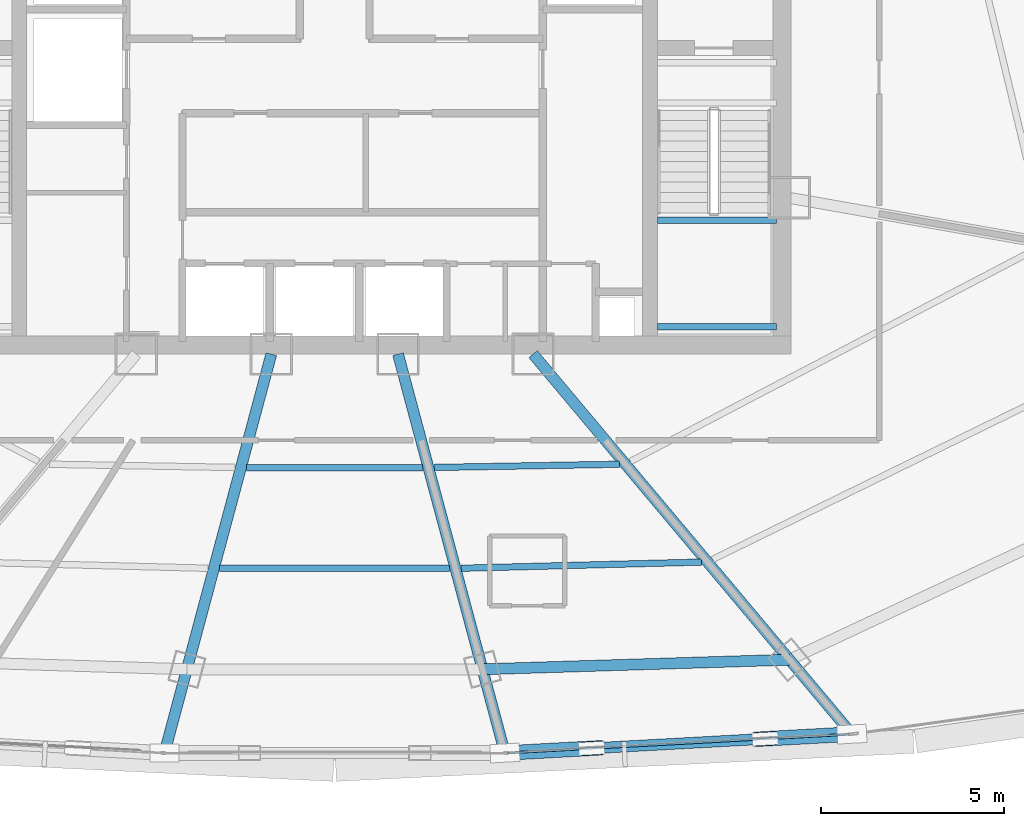
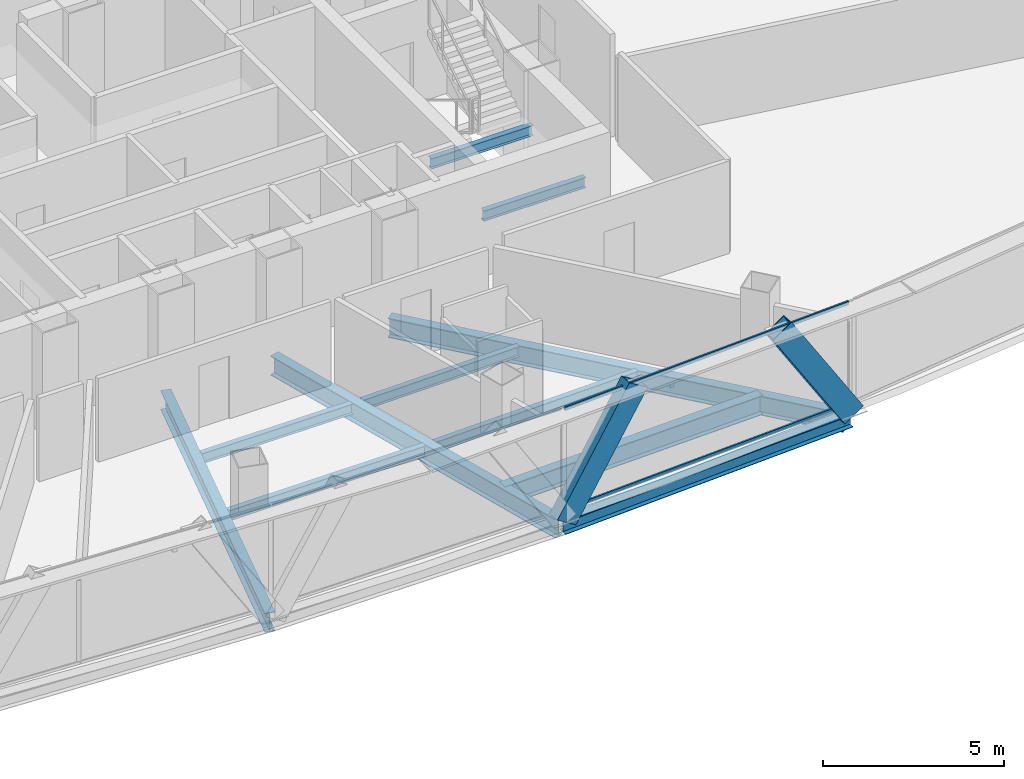
# One storey, part 11 of 37: 11 beams, 4 members, 1 element without a shape of its own.
"""IFC4 building model written with IfcOpenShell, lengths in metres."""

from ifc_helpers import new_model, si_unit, direction, frame, origin, origin_2d, place, context, subcontext, project, spatial, hollow_rectangle, i_section, extrude, source, transform, mapped, material, layer, layer_set, material_profile, profile_set, type_object, element, aggregate, save


model = new_model("IFC4")

# Units and contexts
model_context = context("Model", 3, precision=1e-05, world=origin(), true_north=direction((0.0, 1.0)))
body_context = subcontext(model_context, "Body", "Model", "MODEL_VIEW")
ifc_project = project(units=[si_unit("LENGTHUNIT", "METRE"), si_unit("AREAUNIT", "SQUARE_METRE"), si_unit("VOLUMEUNIT", "CUBIC_METRE"), si_unit("PLANEANGLEUNIT", "RADIAN"), si_unit("MASSUNIT", "GRAM", prefix="KILO"), si_unit("THERMODYNAMICTEMPERATUREUNIT", "KELVIN"), si_unit("POWERUNIT", "WATT")], contexts=[model_context])

# Site, building, storey
site_placement = place(None, origin())
site = spatial("IfcSite", under=ifc_project, at=site_placement, CompositionType="ELEMENT")
building_placement = place(site_placement, origin())
building = spatial("IfcBuilding", under=site, at=building_placement, Name="Yunzhuo Pagoda Commons", CompositionType="ELEMENT")
storey_placement = place(building_placement, frame((0.0, 0.0, 240.800048828125)))
storey = spatial("IfcBuildingStorey", under=building, at=storey_placement, Name="L60", CompositionType="ELEMENT", Elevation=240.800048828125)

# Beams
ifc_material_1 = material(Name="Structural steel Q355B", Category="steel")
ifc_material_profile_1 = material_profile(ifc_material_1, i_section(OverallWidth=0.175048828125, OverallDepth=0.35009765625, WebThickness=0.007080078125, FlangeThickness=0.010986328125, at=origin_2d()), Name="Structural steel Q355B")
ifc_profile_set_1 = profile_set([ifc_material_profile_1], Name="Structural steel Q355B")
beam_type_1 = type_object("IfcBeamType", Name="B-JS2 Joist HN 350x175x7x11", PredefinedType="JOIST", material=ifc_profile_set_1)
shared_shape_1 = source(origin(), body_context, "Body", "SweptSolid", [
    extrude(i_section(OverallWidth=0.175048828125, OverallDepth=0.35009765625, WebThickness=0.007080078125, FlangeThickness=0.010986328125, at=origin_2d()), origin(), (0.0, 0.0, 1.0), 3.25),
])
for number, where, z_axis, x_axis, name in (
    (1, (56.800048828125, 28.0, 1.489990234375), (1.0, 0.0, 0.0), (0.0, 1.0, 0.0), "L60 ST2 landing support beam 66A"),
    (2, (56.800048828125, 30.89990234375, 1.489990234375), (1.0, 0.0, 0.0), (0.0, 1.0, 0.0), "L60 ST2 landing support beam 66B"),
):
    element("IfcBeam", number, at=place(storey_placement, frame(where, z_axis=z_axis, x_axis=x_axis)), inside=storey, type_object=beam_type_1, Name=name, PredefinedType="JOIST", context=body_context, shape_type="MappedRepresentation", body=[
        mapped(shared_shape_1, transform((0.0, 0.0, 0.0), scale=1.0)),
    ])
ifc_material_profile_2 = material_profile(ifc_material_1, i_section(OverallWidth=0.300048828125, OverallDepth=0.64990234375, WebThickness=0.012939453125, FlangeThickness=0.02197265625, at=origin_2d()), Name="Structural steel Q355B")
ifc_profile_set_2 = profile_set([ifc_material_profile_2], Name="Structural steel Q355B")
beam_type_2 = type_object("IfcBeamType", Name="B-RG2 Beam HN 650x300x13x22", PredefinedType="BEAM", material=ifc_profile_set_2)
shared_shape_2 = source(origin(), body_context, "Body", "SweptSolid", [
    extrude(i_section(OverallWidth=0.300048828125, OverallDepth=0.64990234375, WebThickness=0.012939453125, FlangeThickness=0.02197265625, at=origin_2d()), origin(), (0.0, 0.0, 1.0), 8.37939453125),
])
beam_1_placement = place(storey_placement, frame((52.031494140625, 18.654052734375, -0.5849609375), z_axis=(0.999519382133, 0.031000076447, 0.0), x_axis=(-0.031000076447, 0.999519382133, 0.0)))
element("IfcBeam", 3, at=beam_1_placement, inside=storey, type_object=beam_type_2, Name="L60 column-ring beam 3", PredefinedType="BEAM", context=body_context, shape_type="MappedRepresentation", body=[
    mapped(shared_shape_2, transform((0.0, 0.0, 0.0), scale=1.0)),
])
shared_shape_3 = source(origin(), body_context, "Body", "SweptSolid", [
    extrude(i_section(OverallWidth=0.175048828125, OverallDepth=0.35009765625, WebThickness=0.007080078125, FlangeThickness=0.010986328125, at=origin_2d()), origin(), (0.0, 0.0, 1.0), 5.0556640625),
])
beam_2_placement = place(storey_placement, frame((50.716552734375, 24.158203125, -0.43505859375), z_axis=(0.999848878561, 0.017384477, 0.0), x_axis=(-0.017384477, 0.999848878561, 0.0)))
element("IfcBeam", 4, at=beam_2_placement, inside=storey, type_object=beam_type_1, Name="L60 composite ring joist 1.3", PredefinedType="JOIST", context=body_context, shape_type="MappedRepresentation", body=[
    mapped(shared_shape_3, transform((0.0, 0.0, 0.0), scale=1.0)),
])
shared_shape_4 = source(origin(), body_context, "Body", "SweptSolid", [
    extrude(i_section(OverallWidth=0.175048828125, OverallDepth=0.35009765625, WebThickness=0.007080078125, FlangeThickness=0.010986328125, at=origin_2d()), origin(), (0.0, 0.0, 1.0), 6.558349609375),
])
beam_3_placement = place(storey_placement, frame((51.45361328125, 21.40869140625, -0.43505859375), z_axis=(0.99966910323, 0.025723220017, 0.0), x_axis=(-0.025723220017, 0.99966910323, 0.0)))
element("IfcBeam", 5, at=beam_3_placement, inside=storey, type_object=beam_type_1, Name="L60 composite ring joist 2.3", PredefinedType="JOIST", context=body_context, shape_type="MappedRepresentation", body=[
    mapped(shared_shape_4, transform((0.0, 0.0, 0.0), scale=1.0)),
])
shared_shape_5 = source(origin(), body_context, "Body", "SweptSolid", [
    extrude(i_section(OverallWidth=0.175048828125, OverallDepth=0.35009765625, WebThickness=0.007080078125, FlangeThickness=0.010986328125, at=origin_2d()), origin(), (0.0, 0.0, 1.0), 4.796875),
])
beam_4_placement = place(storey_placement, frame((45.601806640625, 24.155517578125, -0.43505859375), z_axis=(1.0, 0.0, 0.0), x_axis=(0.0, 1.0, 0.0)))
element("IfcBeam", 6, at=beam_4_placement, inside=storey, type_object=beam_type_1, Name="L60 composite ring joist 1.2", PredefinedType="JOIST", context=body_context, shape_type="MappedRepresentation", body=[
    mapped(shared_shape_5, transform((0.0, 0.0, 0.0), scale=1.0)),
])
shared_shape_6 = source(origin(), body_context, "Body", "SweptSolid", [
    extrude(i_section(OverallWidth=0.175048828125, OverallDepth=0.35009765625, WebThickness=0.007080078125, FlangeThickness=0.010986328125, at=origin_2d()), origin(), (0.0, 0.0, 1.0), 6.27099609375),
])
beam_5_placement = place(storey_placement, frame((44.864501953125, 21.40478515625, -0.43505859375), z_axis=(1.0, 0.0, 0.0), x_axis=(0.0, 1.0, 0.0)))
element("IfcBeam", 7, at=beam_5_placement, inside=storey, type_object=beam_type_1, Name="L60 composite ring joist 2.2", PredefinedType="JOIST", context=body_context, shape_type="MappedRepresentation", body=[
    mapped(shared_shape_6, transform((0.0, 0.0, 0.0), scale=1.0)),
])
shared_shape_7 = source(origin(), body_context, "Body", "SweptSolid", [
    extrude(i_section(OverallWidth=0.300048828125, OverallDepth=0.64990234375, WebThickness=0.012939453125, FlangeThickness=0.02197265625, at=origin_2d()), origin(), (0.0, 0.0, 1.0), 11.110107421875),
])
beam_6_placement = place(storey_placement, frame((43.396240234375, 16.5185546875, -0.5849609375), z_axis=(0.258840066388, 0.965920193407, 0.0), x_axis=(-0.965920193407, 0.258840066388, 0.0)))
element("IfcBeam", 8, at=beam_6_placement, inside=storey, type_object=beam_type_2, Name="L60 radial floor girder F1C2", PredefinedType="BEAM", context=body_context, shape_type="MappedRepresentation", body=[
    mapped(shared_shape_7, transform((0.0, 0.0, 0.0), scale=1.0)),
])
shared_shape_8 = source(origin(), body_context, "Body", "SweptSolid", [
    extrude(i_section(OverallWidth=0.300048828125, OverallDepth=0.64990234375, WebThickness=0.012939453125, FlangeThickness=0.02197265625, at=origin_2d()), origin(), (0.0, 0.0, 1.0), 11.10986328125),
])
beam_7_placement = place(storey_placement, frame((52.603759765625, 16.5185546875, -0.5849609375), z_axis=(-0.258799060806, 0.965931180844, 0.0), x_axis=(-0.965931180844, -0.258799060806, 0.0)))
element("IfcBeam", 9, at=beam_7_placement, inside=storey, type_object=beam_type_2, Name="L60 radial floor girder F1C3", PredefinedType="BEAM", context=body_context, shape_type="MappedRepresentation", body=[
    mapped(shared_shape_8, transform((0.0, 0.0, 0.0), scale=1.0)),
])
shared_shape_9 = source(origin(), body_context, "Body", "SweptSolid", [
    extrude(i_section(OverallWidth=0.300048828125, OverallDepth=0.64990234375, WebThickness=0.012939453125, FlangeThickness=0.02197265625, at=origin_2d()), origin(), (0.0, 0.0, 1.0), 13.37548828125),
])
beam_8_placement = place(storey_placement, frame((62.009765625, 17.00390625, -0.5849609375), z_axis=(-0.642794750623, 0.766038451105, 0.0), x_axis=(-0.766038451105, -0.642794750623, 0.0)))
element("IfcBeam", 10, at=beam_8_placement, inside=storey, type_object=beam_type_2, Name="L60 radial floor girder F1C4", PredefinedType="BEAM", context=body_context, shape_type="MappedRepresentation", body=[
    mapped(shared_shape_9, transform((0.0, 0.0, 0.0), scale=1.0)),
])
ifc_material_profile_3 = material_profile(ifc_material_1, i_section(OverallWidth=0.300048828125, OverallDepth=0.43994140625, WebThickness=0.010986328125, FlangeThickness=0.01806640625, at=origin_2d()), Name="Structural steel Q355B")
ifc_profile_set_3 = profile_set([ifc_material_profile_3], Name="Structural steel Q355B")
beam_type_3 = type_object("IfcBeamType", Name="B-SP2 Beam HM 440x300x11x18", PredefinedType="BEAM", material=ifc_profile_set_3)
shared_shape_10 = source(origin(), body_context, "Body", "SweptSolid", [
    extrude(i_section(OverallWidth=0.300048828125, OverallDepth=0.43994140625, WebThickness=0.010986328125, FlangeThickness=0.01806640625, at=origin_2d()), origin(), (0.0, 0.0, 1.0), 9.4794921875),
])
beam_9_placement = place(storey_placement, frame((52.643798828125, 16.36865234375, -0.47998046875), z_axis=(0.998513924763, 0.054497174743, 0.0), x_axis=(-0.054497174743, 0.998513924763, 0.0)))
element("IfcBeam", 11, at=beam_9_placement, inside=storey, type_object=beam_type_3, Name="L60 facade edge spandrel beam F1.3", PredefinedType="BEAM", context=body_context, shape_type="MappedRepresentation", body=[
    mapped(shared_shape_10, transform((0.0, 0.0, 0.0), scale=1.0)),
])

# Members
ifc_material_profile_4 = material_profile(ifc_material_1, hollow_rectangle(XDim=0.39990234375, YDim=0.719970703125, WallThickness=0.02392578125, at=origin_2d()), Name="Structural steel Q355B")
ifc_profile_set_4 = profile_set([ifc_material_profile_4], Name="Structural steel Q355B")
member_type_1 = type_object("IfcMemberType", Name="M-DL2 Brace BOX 720x400x24", PredefinedType="BRACE", material=ifc_profile_set_4)
shared_shape_11 = source(origin(), body_context, "Body", "SweptSolid", [
    extrude(hollow_rectangle(XDim=0.39990234375, YDim=0.719970703125, WallThickness=0.02392578125, at=origin_2d()), origin(), (0.0, 0.0, 1.0), 4.419189453125),
])
member_1_placement = place(storey_placement, frame((62.109130859375, 16.88525390625, -0.260009765625), z_axis=(-0.535427539536, -0.029168978629, 0.844077319084), x_axis=(0.054397258455, -0.998519373008, 0.0)))
element("IfcMember", 12, at=member_1_placement, inside=storey, type_object=member_type_1, Name="L60 facade diamond brace F1.3R", PredefinedType="BRACE", context=body_context, shape_type="MappedRepresentation", body=[
    mapped(shared_shape_11, transform((0.0, 0.0, 0.0), scale=1.0)),
])
shared_shape_12 = source(origin(), body_context, "Body", "SweptSolid", [
    extrude(hollow_rectangle(XDim=0.39990234375, YDim=0.719970703125, WallThickness=0.02392578125, at=origin_2d()), origin(), (0.0, 0.0, 1.0), 4.41943359375),
])
member_2_placement = place(storey_placement, frame((52.643798828125, 16.36865234375, -0.260009765625), z_axis=(0.535466080863, 0.029223311336, 0.844050990355), x_axis=(-0.05449437193, 0.998514077731, 0.0)))
element("IfcMember", 13, at=member_2_placement, inside=storey, type_object=member_type_1, Name="L60 facade diamond brace F1.3L", PredefinedType="BRACE", context=body_context, shape_type="MappedRepresentation", body=[
    mapped(shared_shape_12, transform((0.0, 0.0, 0.0), scale=1.0)),
])

# Curtain wall, members
ifc_material_2 = material(Name="Anodized aluminium 6063-T6", Category="aluminium")
ifc_layer = layer(ifc_material_2, 0.139892578125)
ifc_layer_set = layer_set([ifc_layer], Name="Anodized aluminium 6063-T6")
curtain_wall_type = type_object("IfcCurtainWallType", Name="CW-HI High-Zone Ribbon Curtain Wall", PredefinedType="NOTDEFINED", material=ifc_layer_set)
curtain_wall_placement = place(storey_placement, origin())
curtain_wall = element("IfcCurtainWall", 14, at=curtain_wall_placement, inside=storey, type_object=curtain_wall_type, Name="L60 curtain wall CW-L60-F1B4", PredefinedType="NOTDEFINED")
ifc_material_profile_5 = material_profile(ifc_material_2, hollow_rectangle(XDim=0.054931640625, YDim=0.1201171875, WallThickness=0.00341796875, at=origin_2d()), Name="Anodized aluminium 6063-T6")
ifc_profile_set_5 = profile_set([ifc_material_profile_5], Name="Anodized aluminium 6063-T6")
member_type_2 = type_object("IfcMemberType", Name="CW-HI-T Transom RHS 120x55x3.5", PredefinedType="USERDEFINED", material=ifc_profile_set_5)
shared_shape_13 = source(origin(), body_context, "Body", "SweptSolid", [
    extrude(hollow_rectangle(XDim=0.054931640625, YDim=0.1201171875, WallThickness=0.00341796875, at=origin_2d()), origin(), (0.0, 0.0, 1.0), 9.359375),
])
member_3_placement = place(storey_placement, frame((52.703857421875, 16.3720703125, 0.02734375), z_axis=(0.998514211569, 0.054491919537, 0.0), x_axis=(-0.054491919537, 0.998514211569, 0.0)))
member_3 = element("IfcMember", 15, at=member_3_placement, type_object=member_type_2, Name="CW transom 1.1", ObjectType="TRANSOM", PredefinedType="USERDEFINED", context=body_context, shape_type="MappedRepresentation", body=[
    mapped(shared_shape_13, transform((0.0, 0.0, 0.0), scale=1.0)),
])
member_4_placement = place(storey_placement, frame((52.703857421875, 16.3720703125, 3.4423828125), z_axis=(0.998514211569, 0.054491919537, 0.0), x_axis=(-0.054491919537, 0.998514211569, 0.0)))
member_4 = element("IfcMember", 16, at=member_4_placement, type_object=member_type_2, Name="CW transom 1.2", ObjectType="TRANSOM", PredefinedType="USERDEFINED", context=body_context, shape_type="MappedRepresentation", body=[
    mapped(shared_shape_13, transform((0.0, 0.0, 0.0), scale=1.0)),
])
aggregate(curtain_wall, [member_3, member_4])

save(model, "model.ifc")
